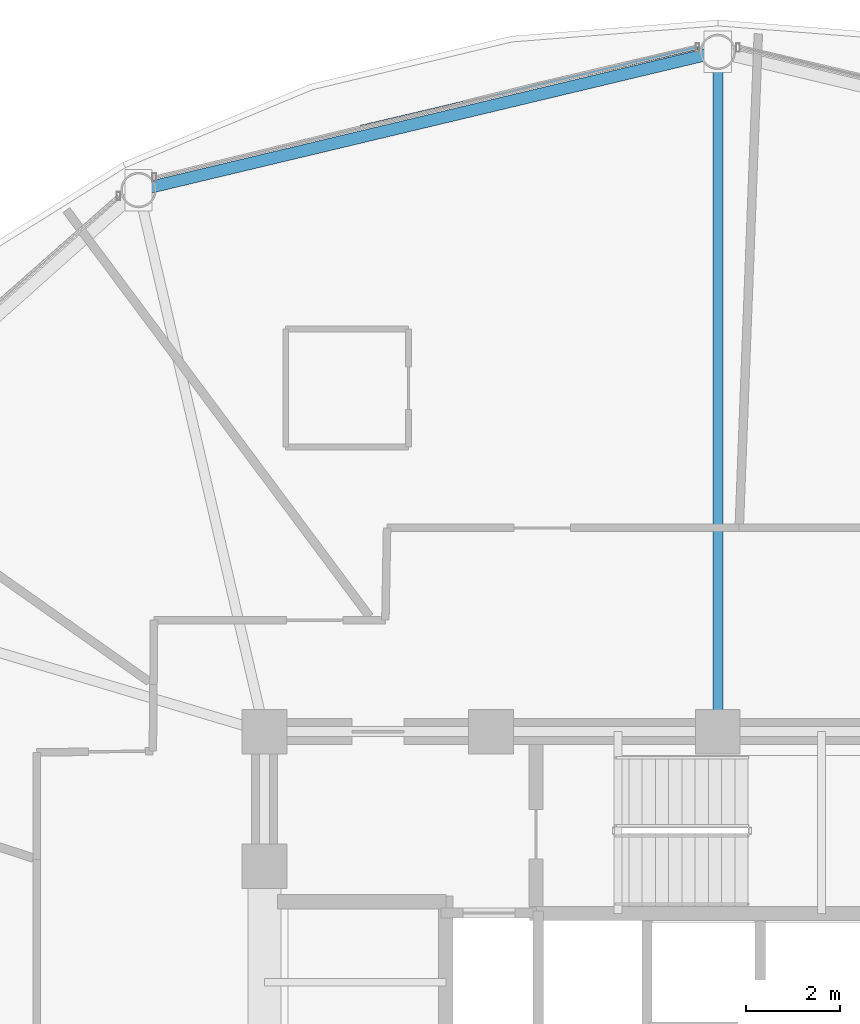
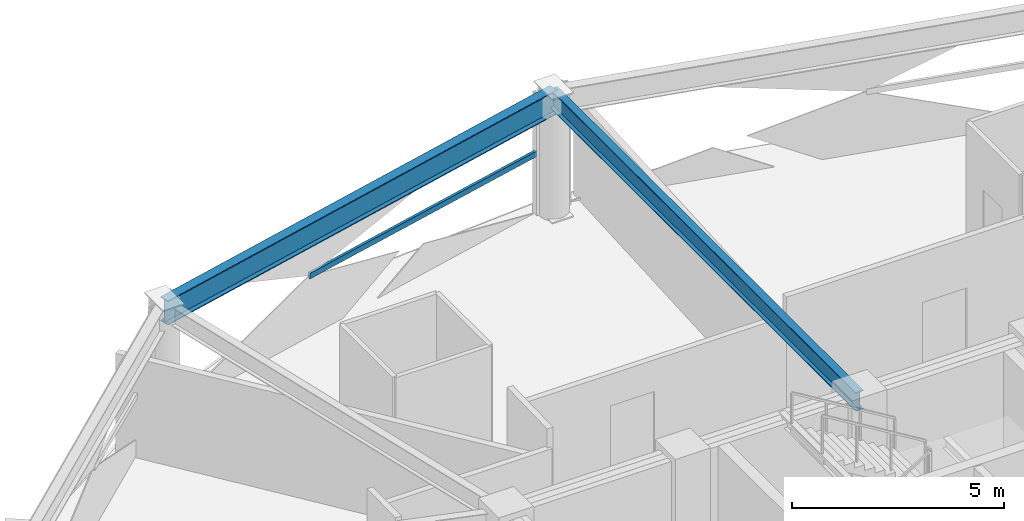
# One storey, part 16 of 29: 2 beams, 1 member, 1 element without a shape of its own.
"""IFC4 building model written with IfcOpenShell, lengths in metres."""

from ifc_helpers import new_model, si_unit, direction, frame, origin, origin_2d, place, context, subcontext, project, spatial, hollow_rectangle, i_section, extrude, material, layer, layer_set, material_profile, profile_set, type_object, element, aggregate, save


model = new_model("IFC4")

# Units and contexts
model_context = context("Model", 3, precision=1e-05, world=origin(), true_north=direction((0.0, 1.0)))
body_context = subcontext(model_context, "Body", "Model", "MODEL_VIEW")
ifc_project = project(units=[si_unit("LENGTHUNIT", "METRE"), si_unit("AREAUNIT", "SQUARE_METRE"), si_unit("VOLUMEUNIT", "CUBIC_METRE"), si_unit("PLANEANGLEUNIT", "RADIAN"), si_unit("MASSUNIT", "GRAM", prefix="KILO")], contexts=[model_context])

# Site, building, storey
site_placement = place(None, origin())
site = spatial("IfcSite", under=ifc_project, at=site_placement, CompositionType="ELEMENT")
building_placement = place(site_placement, origin())
building = spatial("IfcBuilding", under=site, at=building_placement, Name="Vantalir Tower", CompositionType="ELEMENT")
storey_placement = place(building_placement, frame((0.0, 0.0, 168.449951171875)))
storey = spatial("IfcBuildingStorey", under=building, at=storey_placement, Name="L42", CompositionType="ELEMENT", Elevation=168.449951171875)

# Beams
ifc_material_1 = material(Name="Steel S355", Category="steel")
ifc_material_profile_1 = material_profile(ifc_material_1, i_section(OverallWidth=0.2109375, OverallDepth=0.5390625, WebThickness=0.01171875, FlangeThickness=0.018798828125, at=origin_2d()), Name="Steel S355")
ifc_profile_set_1 = profile_set([ifc_material_profile_1], Name="Steel S355")
beam_type_1 = type_object("IfcBeamType", Name="BM-RB-533x210", PredefinedType="BEAM", material=ifc_profile_set_1)
beam_1_placement = place(storey_placement, frame((31.5, 46.847900390625, 3.301025390625), z_axis=(0.0, -1.0, 0.0), x_axis=(1.0, 0.0, 0.0)))
element("IfcBeam", 1, at=beam_1_placement, inside=storey, type_object=beam_type_1, Name="L42 Radial Floor Beam 04", PredefinedType="BEAM", context=body_context, shape_type="SweptSolid", body=[
    extrude(i_section(OverallWidth=0.2109375, OverallDepth=0.5390625, WebThickness=0.01171875, FlangeThickness=0.018798828125, at=origin_2d()), origin(), (0.0, 0.0, 1.0), 14.39794921875),
])
ifc_material_2 = material(Name="Steel S460", Category="steel")
ifc_material_profile_2 = material_profile(ifc_material_2, i_section(OverallWidth=0.256103515625, OverallDepth=0.693115234375, WebThickness=0.014404296875, FlangeThickness=0.023681640625, at=origin_2d()), Name="Steel S460")
ifc_profile_set_2 = profile_set([ifc_material_profile_2], Name="Steel S460")
beam_type_2 = type_object("IfcBeamType", Name="BM-RG-686x254", PredefinedType="USERDEFINED", material=ifc_profile_set_2)
beam_2_placement = place(storey_placement, frame((31.5, 46.847900390625, 3.22412109375), z_axis=(-0.972698315596, -0.232073235934, 0.0), x_axis=(0.232073235934, -0.972698315596, 0.0)))
element("IfcBeam", 2, at=beam_2_placement, inside=storey, type_object=beam_type_2, Name="L42 Circumferential Ring Girder 04", ObjectType="GIRDER", PredefinedType="USERDEFINED", context=body_context, shape_type="SweptSolid", body=[
    extrude(i_section(OverallWidth=0.256103515625, OverallDepth=0.693115234375, WebThickness=0.014404296875, FlangeThickness=0.023681640625, at=origin_2d()), origin(), (0.0, 0.0, 1.0), 12.6123046875),
])

# Curtain wall, member
ifc_material_3 = material(Name="Champagne-silver PVDF aluminium and double-silver Low-E glass", Category="aluminium")
ifc_layer = layer(ifc_material_3, 0.199951171875)
ifc_layer_set = layer_set([ifc_layer], Name="Champagne-silver PVDF aluminium and double-silver Low-E glass")
curtain_wall_type = type_object("IfcCurtainWallType", Name="CW-DIAMOND-Z2", PredefinedType="USERDEFINED", material=ifc_layer_set)
curtain_wall_placement = place(storey_placement, origin())
curtain_wall = element("IfcCurtainWall", 3, at=curtain_wall_placement, inside=storey, type_object=curtain_wall_type, Name="L42 Quilted Pyramid-Diamond Curtain Wall S04", ObjectType="UNITISED CURTAIN WALL", PredefinedType="USERDEFINED")
ifc_material_4 = material(Name="Champagne-silver PVDF aluminium 6063-T6", Category="aluminium")
ifc_material_profile_3 = material_profile(ifc_material_4, hollow_rectangle(XDim=0.074951171875, YDim=0.159912109375, WallThickness=0.00390625, at=origin_2d()), Name="Champagne-silver PVDF aluminium 6063-T6")
ifc_profile_set_3 = profile_set([ifc_material_profile_3], Name="Champagne-silver PVDF aluminium 6063-T6")
member_type = type_object("IfcMemberType", Name="CWT-160x75", PredefinedType="USERDEFINED", material=ifc_profile_set_3)
member_placement = place(storey_placement, frame((31.072021484375, 46.93603515625, 1.78515625), z_axis=(-0.973374392965, -0.229221052961, 0.0), x_axis=(0.229221052961, -0.973374392965, 0.0)))
member = element("IfcMember", 4, at=member_placement, type_object=member_type, Name="CW-L42-S04 Pyramid Fold Ridge Transom", ObjectType="TRANSOM", PredefinedType="USERDEFINED", context=body_context, shape_type="SweptSolid", body=[
    extrude(hollow_rectangle(XDim=0.074951171875, YDim=0.159912109375, WallThickness=0.00390625, at=origin_2d()), origin(), (0.0, 0.0, 1.0), 7.33837890625),
])
aggregate(curtain_wall, [member])

save(model, "model.ifc")
